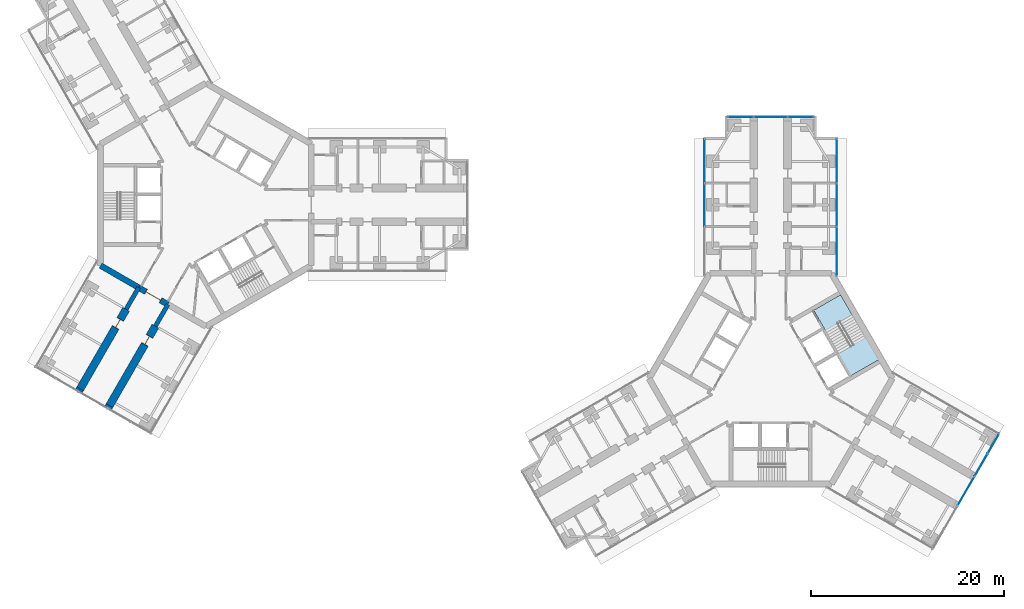
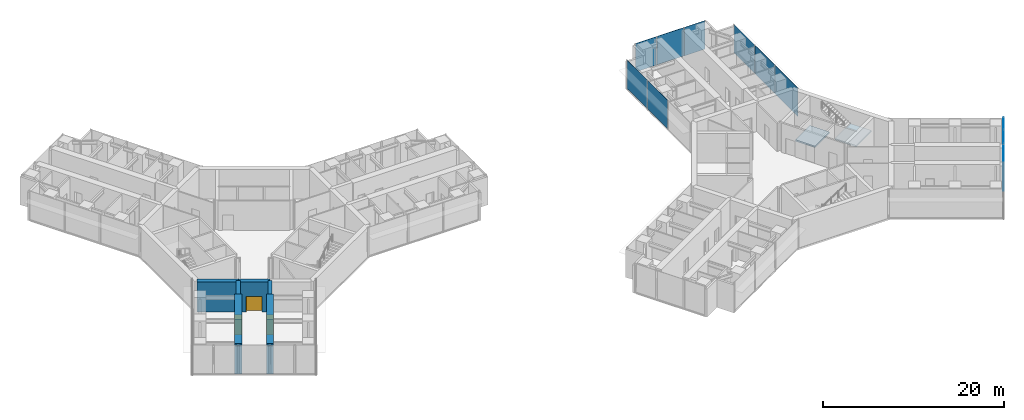
# One storey, part 14 of 22: 11 plates, 8 walls, 3 doors, 2 slabs, 3 openings, 5 elements without a shape of their own.
"""IFC4 building model written with IfcOpenShell, lengths in metres."""

from ifc_helpers import new_model, si_unit, direction, frame, frame_2d, origin, origin_2d, place, context, subcontext, project, spatial, polyline, rectangle, outline, extrude, material, layer, layer_set, type_object, element, fill, aggregate, save


model = new_model("IFC4")

# Units and contexts
model_context = context("Model", 3, precision=1e-05, world=origin(), true_north=direction((0.0, 1.0)))
body_context = subcontext(model_context, "Body", "Model", "MODEL_VIEW")
ifc_project = project(units=[si_unit("LENGTHUNIT", "METRE"), si_unit("AREAUNIT", "SQUARE_METRE"), si_unit("VOLUMEUNIT", "CUBIC_METRE"), si_unit("PLANEANGLEUNIT", "RADIAN"), si_unit("MASSUNIT", "GRAM", prefix="KILO")], contexts=[model_context])

# Site, building, storey
site_placement = place(None, origin())
site = spatial("IfcSite", under=ifc_project, at=site_placement, CompositionType="ELEMENT")
building_placement = place(site_placement, origin())
building = spatial("IfcBuilding", under=site, at=building_placement, Name="Upepo Twin Towers", CompositionType="ELEMENT")
storey_placement = place(building_placement, frame((0.0, 0.0, 125.5)))
storey = spatial("IfcBuildingStorey", under=building, at=storey_placement, Name="L30", CompositionType="ELEMENT", Elevation=125.5)

# Curtain wall, plates
ifc_material_1 = material(Name="Aluminium and fritted glass", Category="aluminium")
curtain_wall_type = type_object("IfcCurtainWallType", Name="Tower curtain wall TW2, fritted glass", PredefinedType="NOTDEFINED", material=ifc_material_1)
curtain_wall_1_placement = place(storey_placement, origin())
curtain_wall_1 = element("IfcCurtainWall", 1, at=curtain_wall_1_placement, inside=storey, type_object=curtain_wall_type, Name="T2 L30 wing A flank L curtain wall", PredefinedType="NOTDEFINED")
ifc_material_2 = material(Name="Ceramic-fritted laminated glass", Category="glass")
ifc_layer_1 = layer(ifc_material_2, 0.031982421875)
ifc_layer_set_1 = layer_set([ifc_layer_1], Name="Fritted glass panel, 40 per cent dot frit, 32 mm double glazed")
plate_type_1 = type_object("IfcPlateType", Name="Fritted glass panel, 40 per cent dot frit, 32 mm double glazed", PredefinedType="CURTAIN_PANEL", material=ifc_layer_set_1)
plate_1_placement = place(storey_placement, frame((51.64990234375, 0.0, 0.14990234375), z_axis=(0.0, 0.0, 1.0), x_axis=(0.0, 1.0, 0.0)))
plate_1 = element("IfcPlate", 2, at=plate_1_placement, type_object=plate_type_1, Name="T2 L30 wing A flank L curtain wall panel 2", PredefinedType="CURTAIN_PANEL", context=body_context, shape_type="SweptSolid", body=[
    extrude(rectangle(XDim=4.43505859375, YDim=0.031982421875, at=origin_2d()), origin(), (0.0, 0.0, 1.0), 3.85009765625),
])
plate_2_placement = place(storey_placement, frame((51.64990234375, 4.53369140625, 0.14990234375), z_axis=(0.0, 0.0, 1.0), x_axis=(0.0, 1.0, 0.0)))
plate_2 = element("IfcPlate", 3, at=plate_2_placement, type_object=plate_type_1, Name="T2 L30 wing A flank L curtain wall panel 3", PredefinedType="CURTAIN_PANEL", context=body_context, shape_type="SweptSolid", body=[
    extrude(rectangle(XDim=4.50244140625, YDim=0.031982421875, at=origin_2d()), origin(), (0.0, 0.0, 1.0), 3.85009765625),
])
aggregate(curtain_wall_1, [plate_1, plate_2])

curtain_wall_2_placement = place(storey_placement, origin())
curtain_wall_2 = element("IfcCurtainWall", 4, at=curtain_wall_2_placement, inside=storey, type_object=curtain_wall_type, Name="T2 L30 wing A flank R curtain wall", PredefinedType="NOTDEFINED")
plate_3_placement = place(storey_placement, frame((65.35009765625, 4.53369140625, 0.14990234375), z_axis=(0.0, 0.0, 1.0), x_axis=(0.0, -1.0, 0.0)))
plate_3 = element("IfcPlate", 5, at=plate_3_placement, type_object=plate_type_1, Name="T2 L30 wing A flank R curtain wall panel 1", PredefinedType="CURTAIN_PANEL", context=body_context, shape_type="SweptSolid", body=[
    extrude(rectangle(XDim=4.50244140625, YDim=0.031982421875, at=origin_2d()), origin(), (0.0, 0.0, 1.0), 3.85009765625),
])
plate_4_placement = place(storey_placement, frame((65.35009765625, 0.0, 0.14990234375), z_axis=(0.0, 0.0, 1.0), x_axis=(0.0, -1.0, 0.0)))
plate_4 = element("IfcPlate", 6, at=plate_4_placement, type_object=plate_type_1, Name="T2 L30 wing A flank R curtain wall panel 2", PredefinedType="CURTAIN_PANEL", context=body_context, shape_type="SweptSolid", body=[
    extrude(rectangle(XDim=4.43505859375, YDim=0.031982421875, at=origin_2d()), origin(), (0.0, 0.0, 1.0), 3.85009765625),
])
plate_5_placement = place(storey_placement, frame((65.35009765625, -4.815185546875, 0.14990234375), z_axis=(0.0, 0.0, 1.0), x_axis=(0.0, -1.0, 0.0)))
plate_5 = element("IfcPlate", 7, at=plate_5_placement, type_object=plate_type_1, Name="T2 L30 wing A flank R curtain wall panel 3", PredefinedType="CURTAIN_PANEL", context=body_context, shape_type="SweptSolid", body=[
    extrude(rectangle(XDim=5.0654296875, YDim=0.031982421875, at=origin_2d()), origin(), (0.0, 0.0, 1.0), 3.85009765625),
])
aggregate(curtain_wall_2, [plate_3, plate_4, plate_5])

# Curtain wall, plate
curtain_wall_3_placement = place(storey_placement, origin())
curtain_wall_3 = element("IfcCurtainWall", 8, at=curtain_wall_3_placement, inside=storey, type_object=curtain_wall_type, Name="T2 L30 wing A nose curtain wall", PredefinedType="NOTDEFINED")
plate_6_placement = place(storey_placement, frame((58.5, 9.10009765625, 0.14990234375), z_axis=(0.0, 0.0, 1.0), x_axis=(-1.0, 0.0, 0.0)))
plate_6 = element("IfcPlate", 9, at=plate_6_placement, type_object=plate_type_1, Name="T2 L30 wing A nose curtain wall panel 2", PredefinedType="CURTAIN_PANEL", context=body_context, shape_type="SweptSolid", body=[
    extrude(rectangle(XDim=3.43505859375, YDim=0.031982421875, at=origin_2d()), origin(), (0.0, 0.0, 1.0), 3.85009765625),
])

# Curtain wall, plates
curtain_wall_4_placement = place(storey_placement, origin())
curtain_wall_4 = element("IfcCurtainWall", 10, at=curtain_wall_4_placement, inside=storey, type_object=curtain_wall_type, Name="T2 L30 wing C nose curtain wall", PredefinedType="NOTDEFINED")
plate_7_placement = place(storey_placement, frame((78.7216796875, -29.675048828125, 0.14990234375), z_axis=(0.0, 0.0, 1.0), x_axis=(0.499999972355, 0.866025419745, 0.0)))
plate_7 = element("IfcPlate", 11, at=plate_7_placement, type_object=plate_type_1, Name="T2 L30 wing C nose curtain wall panel 3", PredefinedType="CURTAIN_PANEL", context=body_context, shape_type="SweptSolid", body=[
    extrude(rectangle(XDim=3.43505859375, YDim=0.031982421875, at=origin_2d()), origin(), (0.0, 0.0, 1.0), 3.85009765625),
])
plate_8_placement = place(storey_placement, frame((80.2841796875, -26.96875, 0.14990234375), z_axis=(0.0, 0.0, 1.0), x_axis=(0.499999972355, 0.866025419745, 0.0)))
plate_8 = element("IfcPlate", 12, at=plate_8_placement, type_object=plate_type_1, Name="T2 L30 wing C nose curtain wall panel 4", PredefinedType="CURTAIN_PANEL", context=body_context, shape_type="SweptSolid", body=[
    extrude(rectangle(XDim=2.68505859375, YDim=0.031982421875, at=origin_2d()), origin(), (0.0, 0.0, 1.0), 3.85009765625),
])

# Plate
ifc_material_3 = material(Name="Clear laminated glass in opening sash", Category="glass")
ifc_layer_2 = layer(ifc_material_3, 0.031982421875)
ifc_layer_set_2 = layer_set([ifc_layer_2], Name="Operable glass panel, 32 mm double glazed")
plate_type_2 = type_object("IfcPlateType", Name="Operable glass panel, 32 mm double glazed", PredefinedType="CURTAIN_PANEL", material=ifc_layer_set_2)
plate_9_placement = place(storey_placement, frame((61.608642578125, 9.10009765625, 0.14990234375), z_axis=(0.0, 0.0, 1.0), x_axis=(-1.0, 0.0, 0.0)))
plate_9 = element("IfcPlate", 13, at=plate_9_placement, type_object=plate_type_2, Name="T2 L30 wing A nose curtain wall panel 1", PredefinedType="CURTAIN_PANEL", context=body_context, shape_type="SweptSolid", body=[
    extrude(rectangle(XDim=2.652587890625, YDim=0.031982421875, at=origin_2d()), origin(), (0.0, 0.0, 1.0), 3.85009765625),
])

plate_10_placement = place(storey_placement, frame((55.391357421875, 9.10009765625, 0.14990234375), z_axis=(0.0, 0.0, 1.0), x_axis=(-1.0, 0.0, 0.0)))
plate_10 = element("IfcPlate", 14, at=plate_10_placement, type_object=plate_type_2, Name="T2 L30 wing A nose curtain wall panel 3", PredefinedType="CURTAIN_PANEL", context=body_context, shape_type="SweptSolid", body=[
    extrude(rectangle(XDim=2.652587890625, YDim=0.031982421875, at=origin_2d()), origin(), (0.0, 0.0, 1.0), 3.85009765625),
])

aggregate(curtain_wall_3, [plate_9, plate_6, plate_10])

plate_11_placement = place(storey_placement, frame((81.576171875, -24.73095703125, 0.14990234375), z_axis=(0.0, 0.0, 1.0), x_axis=(0.499999972355, 0.866025419745, 0.0)))
plate_11 = element("IfcPlate", 15, at=plate_11_placement, type_object=plate_type_2, Name="T2 L30 wing C nose curtain wall panel 5", PredefinedType="CURTAIN_PANEL", context=body_context, shape_type="SweptSolid", body=[
    extrude(rectangle(XDim=2.3525390625, YDim=0.031982421875, at=origin_2d()), origin(), (0.0, 0.0, 1.0), 3.85009765625),
])

aggregate(curtain_wall_4, [plate_7, plate_8, plate_11])

# Stair, slabs
ifc_material_4 = material(Name="Concrete C40/50", Category="concrete")
stair_type = type_object("IfcStairType", Name="Core stair, two flights", PredefinedType="HALF_TURN_STAIR", material=ifc_material_4)
stair_placement = place(storey_placement, origin())
stair = element("IfcStair", 16, at=stair_placement, inside=storey, type_object=stair_type, Name="T2 stair S2 L30", PredefinedType="HALF_TURN_STAIR")
ifc_material_5 = material(Name="Concrete C40/50", Category="concrete")
ifc_layer_3 = layer(ifc_material_5, 0.199951171875)
ifc_layer_set_3 = layer_set([ifc_layer_3], Name="Concrete C40/50")
slab_type = type_object("IfcSlabType", Name="Stair landing 200 RC", PredefinedType="LANDING", material=ifc_layer_set_3)
slab_1_placement = place(storey_placement, frame((0.0, 0.0, -0.199951171875)))
slab_1 = element("IfcSlab", 17, at=slab_1_placement, type_object=slab_type, Name="Stair S2 landing 1", PredefinedType="LANDING", context=body_context, shape_type="SweptSolid", body=[
    extrude(outline(polyline([(64.198486328125, -13.0703125), (66.97705078125, -11.466064453125), (65.737060546875, -9.318359375), (62.95849609375, -10.922607421875), (64.198486328125, -13.0703125)])), origin(), (0.0, 0.0, 1.0), 0.199951171875),
])
slab_2_placement = place(storey_placement, frame((0.0, 0.0, 1.800048828125)))
slab_2 = element("IfcSlab", 18, at=slab_2_placement, type_object=slab_type, Name="Stair S2 landing 2", PredefinedType="LANDING", context=body_context, shape_type="SweptSolid", body=[
    extrude(outline(polyline([(66.77197265625, -17.7275390625), (69.7236328125, -16.0234375), (68.36376953125, -13.667724609375), (65.411865234375, -15.371826171875), (66.77197265625, -17.7275390625)])), origin(), (0.0, 0.0, 1.0), 0.199951171875),
])
aggregate(stair, [slab_1, slab_2])

# Walls
ifc_material_6 = material(Name="Dense concrete blockwork", Category="masonry")
ifc_layer_4 = layer(ifc_material_6, 0.800048828125)
ifc_layer_set_4 = layer_set([ifc_layer_4], Name="Buttress closer 800, blockwork with fire-stopping to the curtain wall")
wall_type_1 = type_object("IfcWallType", Name="Buttress closer 800, blockwork with fire-stopping to the curtain wall", PredefinedType="PARTITIONING", material=ifc_layer_set_4)
for number, where, z_axis, x_axis, name in (
    (19, (-9.984375, -20.793701171875, 0.0), (0.0, 0.0, 1.0), (-0.500342721131, -0.865827443207, 0.0), "T1 L30 wing C buttress closer L"),
    (20, (-13.015625, -19.043701171875, 0.0), (0.0, 0.0, 1.0), (-0.500342721131, -0.865827443207, 0.0), "T1 L30 wing C buttress closer R"),
):
    element("IfcWall", number, at=place(storey_placement, frame(where, z_axis=z_axis, x_axis=x_axis)), inside=storey, type_object=wall_type_1, Name=name, PredefinedType="PARTITIONING", context=body_context, shape_type="SweptSolid", body=[
        extrude(rectangle(XDim=0.249755859375, YDim=0.800048828125, at=frame_2d((0.125, 0.0))), origin(), (0.0, 0.0, 1.0), 3.800048828125),
    ])
ifc_material_7 = material(Name="Concrete C60/75", Category="concrete")
ifc_layer_5 = layer(ifc_material_7, 0.449951171875)
ifc_layer_set_5 = layer_set([ifc_layer_5], Name="Concrete C60/75")
wall_type_2 = type_object("IfcWallType", Name="Buttress wall 450 RC", PredefinedType="SHEAR", material=ifc_layer_set_5)
for number, where, z_axis, x_axis, name in (
    (21, (-3.938720703125, -10.32177734375, 0.0), (0.0, 0.0, 1.0), (-0.499918158782, -0.866072649678, 0.0), "T1 wing C buttress wall L"),
    (22, (-6.9697265625, -8.57177734375, 0.0), (0.0, 0.0, 1.0), (-0.499988811324, -0.866031863473, 0.0), "T1 wing C buttress wall R"),
):
    element("IfcWall", number, at=place(storey_placement, frame(where, z_axis=z_axis, x_axis=x_axis)), inside=storey, type_object=wall_type_2, Name=name, PredefinedType="SHEAR", context=body_context, shape_type="SweptSolid", body=[
        extrude(rectangle(XDim=2.591796875, YDim=0.449951171875, at=frame_2d((1.2958984375, 0.0))), origin(), (0.0, 0.0, 1.0), 4.0),
    ])

# Wall, opening, door
ifc_material_8 = material(Name="Concrete C60/75", Category="concrete")
ifc_layer_6 = layer(ifc_material_8, 0.800048828125)
ifc_layer_set_6 = layer_set([ifc_layer_6], Name="Concrete C60/75")
wall_type_3 = type_object("IfcWallType", Name="Buttress wall 800 RC", PredefinedType="SHEAR", material=ifc_layer_set_6)
wall_1_placement = place(storey_placement, frame((-5.234375, -12.56640625, 0.0), z_axis=(0.0, 0.0, 1.0), x_axis=(-0.499997557548, -0.86602681393, 0.0)))
wall_1 = element("IfcWall", 23, at=wall_1_placement, inside=storey, type_object=wall_type_3, Name="T1 wing C buttress wall L part 2", PredefinedType="SHEAR", context=body_context, shape_type="SweptSolid", body=[
    extrude(rectangle(XDim=9.5, YDim=0.800048828125, at=frame_2d((4.75, 0.0))), origin(), (0.0, 0.0, 1.0), 4.0),
])
opening_1_placement = place(wall_1_placement, frame((1.199951171875, 0.0, 0.0)))
opening_1 = element("IfcOpeningElement", 24, at=opening_1_placement, cuts=wall_1, Name="Opening D1", PredefinedType="OPENING", context=body_context, shape_type="SweptSolid", body=[
    extrude(rectangle(XDim=1.0, YDim=2.10009765625, at=frame_2d((0.5, 1.050048828125))), frame((0.0, 0.409912109375, 0.0), z_axis=(0.0, -1.0, 0.0), x_axis=(1.0, 0.0, 0.0)), (0.0, 0.0, 1.0), 0.820068359375),
])
ifc_material_9 = material(Name="Timber doorset", Category="wood")
door_type_1 = type_object("IfcDoorType", Name="Room door 1000 FD30", OperationType="SINGLE_SWING_LEFT", PredefinedType="DOOR", material=ifc_material_9)
door_1_placement = place(opening_1_placement, origin())
door_1 = element("IfcDoor", 25, at=door_1_placement, inside=storey, type_object=door_type_1, Name="T1 L30 postgraduate office door", OperationType="SINGLE_SWING_LEFT", OverallHeight=2.10009765625, OverallWidth=1.0, PredefinedType="DOOR", context=body_context, shape_type="SweptSolid", body=[
    extrude(rectangle(XDim=0.92, YDim=2.06009765625, at=frame_2d((0.5, 1.030029296875))), frame((0.0, 0.02490234375, 0.0), z_axis=(0.0, -1.0, 0.0), x_axis=(1.0, 0.0, 0.0)), (0.0, 0.0, 1.0), 0.050048828125),
    extrude(rectangle(XDim=0.04, YDim=2.10009765625, at=frame_2d((0.02001953125, 1.050048828125))), frame((0.0, 0.39990234375, 0.0), z_axis=(0.0, -1.0, 0.0), x_axis=(1.0, 0.0, 0.0)), (0.0, 0.0, 1.0), 0.799560546875),
    extrude(rectangle(XDim=0.04, YDim=2.10009765625, at=frame_2d((0.97998046875, 1.050048828125))), frame((0.0, 0.39990234375, 0.0), z_axis=(0.0, -1.0, 0.0), x_axis=(1.0, 0.0, 0.0)), (0.0, 0.0, 1.0), 0.799560546875),
    extrude(rectangle(XDim=0.92, YDim=0.04, at=frame_2d((0.5, 2.080078125))), frame((0.0, 0.39990234375, 0.0), z_axis=(0.0, -1.0, 0.0), x_axis=(1.0, 0.0, 0.0)), (0.0, 0.0, 1.0), 0.799560546875),
])
fill(opening_1, door_1)

wall_2_placement = place(storey_placement, frame((-8.265625, -10.81640625, 0.0), z_axis=(0.0, 0.0, 1.0), x_axis=(-0.499997557548, -0.86602681393, 0.0)))
wall_2 = element("IfcWall", 26, at=wall_2_placement, inside=storey, type_object=wall_type_3, Name="T1 wing C buttress wall R part 2", PredefinedType="SHEAR", context=body_context, shape_type="SweptSolid", body=[
    extrude(rectangle(XDim=9.5, YDim=0.800048828125, at=frame_2d((4.75, 0.0))), origin(), (0.0, 0.0, 1.0), 4.0),
])
opening_2_placement = place(wall_2_placement, frame((1.199951171875, 0.0, 0.0)))
opening_2 = element("IfcOpeningElement", 27, at=opening_2_placement, cuts=wall_2, Name="Opening D1", PredefinedType="OPENING", context=body_context, shape_type="SweptSolid", body=[
    extrude(rectangle(XDim=1.0, YDim=2.10009765625, at=frame_2d((0.5, 1.050048828125))), frame((0.0, 0.409912109375, 0.0), z_axis=(0.0, -1.0, 0.0), x_axis=(1.0, 0.0, 0.0)), (0.0, 0.0, 1.0), 0.820068359375),
])
door_2_placement = place(opening_2_placement, origin())
door_2 = element("IfcDoor", 28, at=door_2_placement, inside=storey, type_object=door_type_1, Name="T1 L30 postgraduate office door", OperationType="SINGLE_SWING_LEFT", OverallHeight=2.10009765625, OverallWidth=1.0, PredefinedType="DOOR", context=body_context, shape_type="SweptSolid", body=[
    extrude(rectangle(XDim=0.92, YDim=2.06009765625, at=frame_2d((0.5, 1.030029296875))), frame((0.0, 0.02490234375, 0.0), z_axis=(0.0, -1.0, 0.0), x_axis=(1.0, 0.0, 0.0)), (0.0, 0.0, 1.0), 0.050048828125),
    extrude(rectangle(XDim=0.04, YDim=2.10009765625, at=frame_2d((0.02001953125, 1.050048828125))), frame((0.0, 0.39990234375, 0.0), z_axis=(0.0, -1.0, 0.0), x_axis=(1.0, 0.0, 0.0)), (0.0, 0.0, 1.0), 0.799560546875),
    extrude(rectangle(XDim=0.04, YDim=2.10009765625, at=frame_2d((0.97998046875, 1.050048828125))), frame((0.0, 0.39990234375, 0.0), z_axis=(0.0, -1.0, 0.0), x_axis=(1.0, 0.0, 0.0)), (0.0, 0.0, 1.0), 0.799560546875),
    extrude(rectangle(XDim=0.92, YDim=0.04, at=frame_2d((0.5, 2.080078125))), frame((0.0, 0.39990234375, 0.0), z_axis=(0.0, -1.0, 0.0), x_axis=(1.0, 0.0, 0.0)), (0.0, 0.0, 1.0), 0.799560546875),
])
fill(opening_2, door_2)

# Wall
ifc_material_10 = material(Name="Concrete C60/75", Category="concrete")
ifc_layer_7 = layer(ifc_material_10, 0.60009765625)
ifc_layer_set_7 = layer_set([ifc_layer_7], Name="Concrete C60/75")
wall_type_4 = type_object("IfcWallType", Name="Core wall 600 RC", PredefinedType="SHEAR", material=ifc_layer_set_7)
wall_3_placement = place(storey_placement, frame((-10.908447265625, -6.2978515625, 0.0), z_axis=(0.0, 0.0, 1.0), x_axis=(0.866034513004, -0.499984222037, 0.0)))
element("IfcWall", 29, at=wall_3_placement, inside=storey, type_object=wall_type_4, Name="T1 core wall 240 R", PredefinedType="SHEAR", context=body_context, shape_type="SweptSolid", body=[
    extrude(rectangle(XDim=4.548095703125, YDim=0.60009765625, at=frame_2d((2.27392578125, 0.0))), origin(), (0.0, 0.0, 1.0), 4.0),
])

# Wall, opening, door
wall_4_placement = place(storey_placement, frame((-6.9697265625, -8.57177734375, 0.0), z_axis=(0.0, 0.0, 1.0), x_axis=(0.866019471182, -0.500010275428, 0.0)))
wall_4 = element("IfcWall", 30, at=wall_4_placement, inside=storey, type_object=wall_type_4, Name="T1 core wall 240", PredefinedType="SHEAR", context=body_context, shape_type="SweptSolid", body=[
    extrude(rectangle(XDim=3.5, YDim=0.60009765625, at=frame_2d((1.75, 0.0))), origin(), (0.0, 0.0, 1.0), 4.0),
])
opening_3_placement = place(wall_4_placement, frame((0.85009765625, 0.0, 0.0)))
opening_3 = element("IfcOpeningElement", 31, at=opening_3_placement, cuts=wall_4, Name="Opening D2", PredefinedType="OPENING", context=body_context, shape_type="SweptSolid", body=[
    extrude(rectangle(XDim=1.800048828125, YDim=2.10009765625, at=frame_2d((0.89990234375, 1.050048828125))), frame((0.0, 0.31005859375, 0.0), z_axis=(0.0, -1.0, 0.0), x_axis=(1.0, 0.0, 0.0)), (0.0, 0.0, 1.0), 0.6201171875),
])
ifc_material_11 = material(Name="Timber doorset", Category="wood")
door_type_2 = type_object("IfcDoorType", Name="Corridor double door 1800 FD60", OperationType="DOUBLE_DOOR_DOUBLE_SWING", PredefinedType="DOOR", material=ifc_material_11)
door_3_placement = place(opening_3_placement, origin())
door_3 = element("IfcDoor", 32, at=door_3_placement, inside=storey, type_object=door_type_2, Name="T1 L30 wing C corridor door", OperationType="DOUBLE_DOOR_DOUBLE_SWING", OverallHeight=2.10009765625, OverallWidth=1.800048828125, PredefinedType="DOOR", context=body_context, shape_type="SweptSolid", body=[
    extrude(rectangle(XDim=1.720048828125, YDim=2.06009765625, at=frame_2d((0.89990234375, 1.030029296875))), frame((0.0, 0.02490234375, 0.0), z_axis=(0.0, -1.0, 0.0), x_axis=(1.0, 0.0, 0.0)), (0.0, 0.0, 1.0), 0.050048828125),
    extrude(rectangle(XDim=0.04, YDim=2.10009765625, at=frame_2d((0.02001953125, 1.050048828125))), frame((0.0, 0.2998046875, 0.0), z_axis=(0.0, -1.0, 0.0), x_axis=(1.0, 0.0, 0.0)), (0.0, 0.0, 1.0), 0.599609375),
    extrude(rectangle(XDim=0.04, YDim=2.10009765625, at=frame_2d((1.780029296875, 1.050048828125))), frame((0.0, 0.2998046875, 0.0), z_axis=(0.0, -1.0, 0.0), x_axis=(1.0, 0.0, 0.0)), (0.0, 0.0, 1.0), 0.599609375),
    extrude(rectangle(XDim=1.720048828125, YDim=0.04, at=frame_2d((0.89990234375, 2.080078125))), frame((0.0, 0.2998046875, 0.0), z_axis=(0.0, -1.0, 0.0), x_axis=(1.0, 0.0, 0.0)), (0.0, 0.0, 1.0), 0.599609375),
])
fill(opening_3, door_3)

save(model, "model.ifc")
